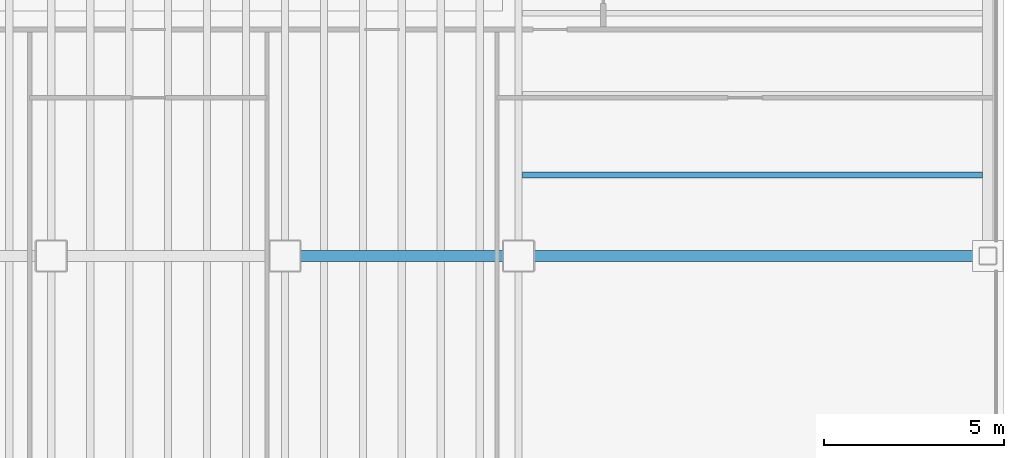
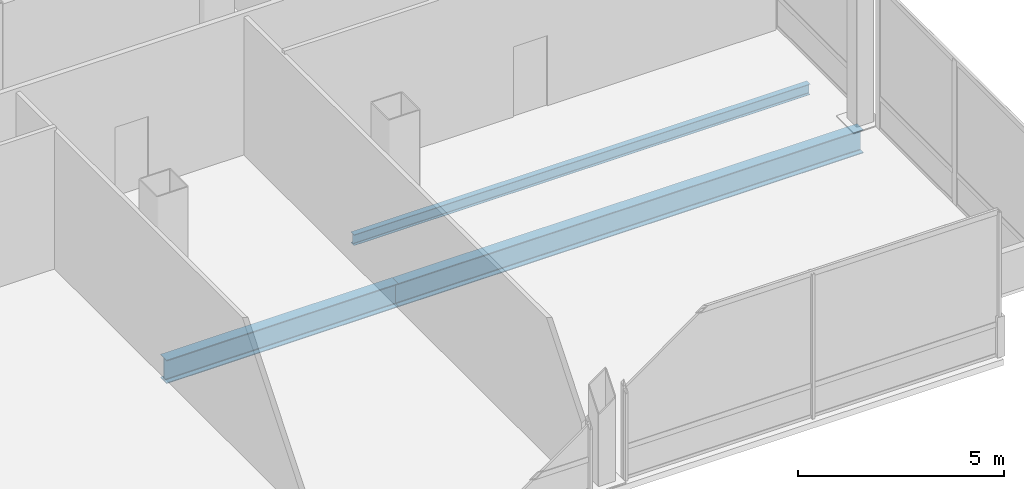
# One storey, part 10 of 22: 3 beams.
"""IFC4 building model written with IfcOpenShell, lengths in metres."""

from ifc_helpers import new_model, si_unit, direction, frame, origin, origin_2d, place, context, subcontext, project, spatial, i_section, extrude, material, material_profile, profile_set, type_object, element, save


model = new_model("IFC4")

# Units and contexts
model_context = context("Model", 3, precision=1e-05, world=origin(), true_north=direction((0.0, 1.0)))
body_context = subcontext(model_context, "Body", "Model", "MODEL_VIEW")
ifc_project = project(units=[si_unit("LENGTHUNIT", "METRE"), si_unit("AREAUNIT", "SQUARE_METRE"), si_unit("VOLUMEUNIT", "CUBIC_METRE"), si_unit("PLANEANGLEUNIT", "RADIAN"), si_unit("MASSUNIT", "GRAM", prefix="KILO")], contexts=[model_context])

# Site, building, storey
site_placement = place(None, origin())
site = spatial("IfcSite", under=ifc_project, at=site_placement, CompositionType="ELEMENT")
building_placement = place(site_placement, origin())
building = spatial("IfcBuilding", under=site, at=building_placement, Name="Noeulbin Bourse Tower", CompositionType="ELEMENT")
storey_placement = place(building_placement, frame((0.0, 0.0, 106.0)))
storey = spatial("IfcBuildingStorey", under=building, at=storey_placement, Name="L26", CompositionType="ELEMENT", Elevation=106.0)

# Beams
ifc_material = material(Name="Steel S355", Category="steel")
ifc_material_profile_1 = material_profile(ifc_material, i_section(OverallWidth=0.300048828125, OverallDepth=0.699951171875, WebThickness=0.012939453125, FlangeThickness=0.02392578125, FilletRadius=0.02392578125, at=origin_2d()), Name="H-700x300x13x24", Category="LoadBearing")
ifc_profile_set_1 = profile_set([ifc_material_profile_1], Name="Steel S355")
beam_type_1 = type_object("IfcBeamType", Name="BM-GRD-700", PredefinedType="USERDEFINED", material=ifc_profile_set_1)
beam_1_placement = place(storey_placement, frame((37.5, 20.0, -0.530029296875), z_axis=(1.0, 0.0, 0.0), x_axis=(0.0, 1.0, 0.0)))
element("IfcBeam", 1, at=beam_1_placement, inside=storey, type_object=beam_type_1, Name="Tower Primary Girder EW L26-1.5", ObjectType="GIRDER", PredefinedType="USERDEFINED", context=body_context, shape_type="SweptSolid", body=[
    extrude(i_section(OverallWidth=0.300048828125, OverallDepth=0.699951171875, WebThickness=0.012939453125, FlangeThickness=0.02392578125, FilletRadius=0.02392578125, at=origin_2d()), origin(), (0.0, 0.0, 1.0), 6.5),
])
beam_2_placement = place(storey_placement, frame((44.0, 20.0, -0.530029296875), z_axis=(1.0, 0.0, 0.0), x_axis=(0.0, 1.0, 0.0)))
element("IfcBeam", 2, at=beam_2_placement, inside=storey, type_object=beam_type_1, Name="Tower Primary Girder EW L26-1.6", ObjectType="GIRDER", PredefinedType="USERDEFINED", context=body_context, shape_type="SweptSolid", body=[
    extrude(i_section(OverallWidth=0.300048828125, OverallDepth=0.699951171875, WebThickness=0.012939453125, FlangeThickness=0.02392578125, FilletRadius=0.02392578125, at=origin_2d()), origin(), (0.0, 0.0, 1.0), 13.050048828125),
])
ifc_material_profile_2 = material_profile(ifc_material, i_section(OverallWidth=0.159912109375, OverallDepth=0.320068359375, WebThickness=0.006591796875, FlangeThickness=0.010009765625, FilletRadius=0.012939453125, at=origin_2d()), Name="H-320x160x6.5x10", Category="LoadBearing")
ifc_profile_set_2 = profile_set([ifc_material_profile_2], Name="Steel S355")
beam_type_2 = type_object("IfcBeamType", Name="BM-JST-320", PredefinedType="JOIST", material=ifc_profile_set_2)
beam_3_placement = place(storey_placement, frame((44.10009765625, 22.25, -0.340087890625), z_axis=(1.0, 0.0, 0.0), x_axis=(0.0, 1.0, 0.0)))
element("IfcBeam", 3, at=beam_3_placement, inside=storey, type_object=beam_type_2, Name="Wing Composite Joist L26-E76", PredefinedType="JOIST", context=body_context, shape_type="SweptSolid", body=[
    extrude(i_section(OverallWidth=0.159912109375, OverallDepth=0.320068359375, WebThickness=0.006591796875, FlangeThickness=0.010009765625, FilletRadius=0.012939453125, at=origin_2d()), origin(), (0.0, 0.0, 1.0), 12.7998046875),
])

save(model, "model.ifc")
